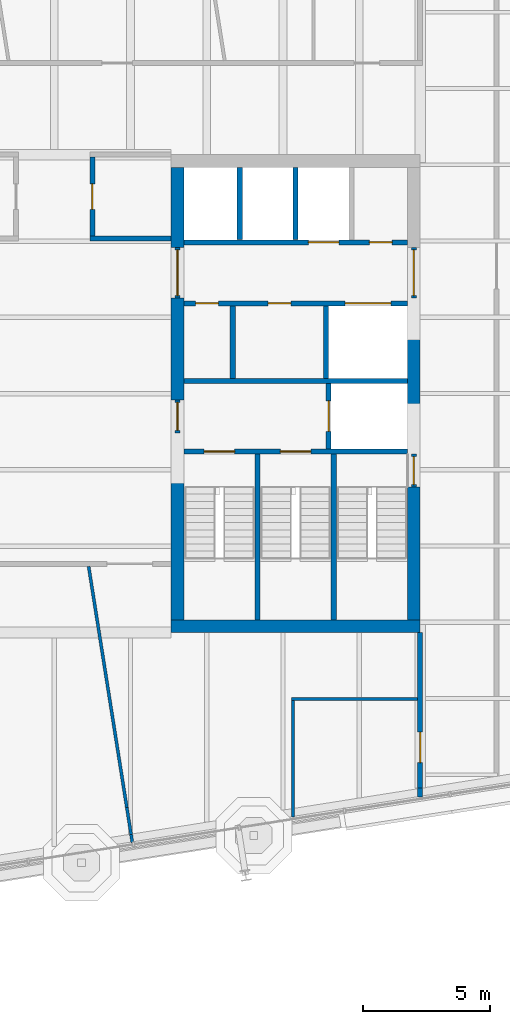
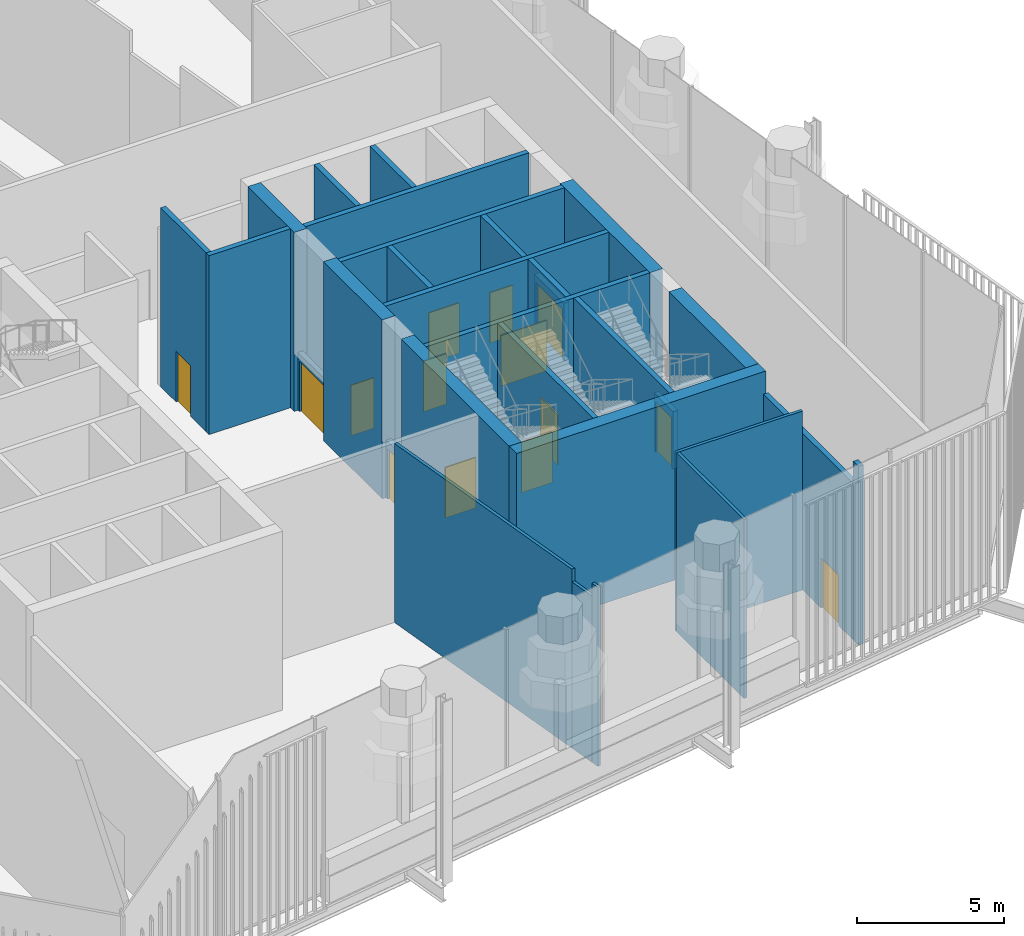
# One storey, part 12 of 17: 30 walls, 14 doors, 14 openings.
"""IFC4 building model written with IfcOpenShell, lengths in metres."""

from ifc_helpers import new_model, si_unit, direction, frame, frame_2d, origin, place, context, subcontext, project, spatial, rectangle, extrude, material, layer, layer_set, type_object, element, fill, save


model = new_model("IFC4")

# Units and contexts
model_context = context("Model", 3, precision=1e-05, world=origin(), true_north=direction((0.0, 1.0)))
body_context = subcontext(model_context, "Body", "Model", "MODEL_VIEW")
ifc_project = project(units=[si_unit("LENGTHUNIT", "METRE"), si_unit("AREAUNIT", "SQUARE_METRE"), si_unit("VOLUMEUNIT", "CUBIC_METRE"), si_unit("PLANEANGLEUNIT", "RADIAN"), si_unit("MASSUNIT", "GRAM", prefix="KILO")], contexts=[model_context])

# Site, building, storey
site_placement = place(None, origin())
site = spatial("IfcSite", under=ifc_project, at=site_placement, CompositionType="ELEMENT")
building_placement = place(site_placement, origin())
building = spatial("IfcBuilding", under=site, at=building_placement, Name="Millrace Tower", CompositionType="ELEMENT")
storey_placement = place(building_placement, frame((0.0, 0.0, 239.800048828125)))
storey = spatial("IfcBuildingStorey", under=building, at=storey_placement, Name="L55", CompositionType="ELEMENT", Elevation=239.800048828125)

# Walls
ifc_material_1 = material(Name="Concrete C60", Category="concrete")
ifc_layer_1 = layer(ifc_material_1, 0.5)
ifc_layer_set_1 = layer_set([ifc_layer_1], Name="Concrete C60")
wall_type_1 = type_object("IfcWallType", Name="Core wall 500 Concrete C60", PredefinedType="SHEAR", material=ifc_layer_set_1)
wall_1_placement = place(storey_placement, frame((14.39990234375, -9.14990234375, 0.0), z_axis=(0.0, 0.0, 1.0), x_axis=(-1.0, 0.0, 0.0)))
element("IfcWall", 1, at=wall_1_placement, inside=storey, type_object=wall_type_1, Name="Core wall E L55", PredefinedType="SHEAR", context=body_context, shape_type="SweptSolid", body=[
    extrude(rectangle(XDim=9.7998046875, YDim=0.5, at=frame_2d((4.89990234375, 0.0))), origin(), (0.0, 0.0, 1.0), 7.43994140625),
])
wall_2_placement = place(storey_placement, frame((14.14990234375, 3.75, 0.0), z_axis=(0.0, 0.0, 1.0), x_axis=(0.0, -1.0, 0.0)))
element("IfcWall", 2, at=wall_2_placement, inside=storey, type_object=wall_type_1, Name="Core wall E L55", PredefinedType="SHEAR", context=body_context, shape_type="SweptSolid", body=[
    extrude(rectangle(XDim=6.1298828125, YDim=0.5, at=frame_2d((3.06494140625, 0.0))), origin(), (0.0, 0.0, 1.0), 7.43994140625),
])
wall_3_placement = place(storey_placement, frame((14.14990234375, -3.679931640625, 0.0), z_axis=(0.0, 0.0, 1.0), x_axis=(0.0, -1.0, 0.0)))
element("IfcWall", 3, at=wall_3_placement, inside=storey, type_object=wall_type_1, Name="Core wall E L55", PredefinedType="SHEAR", context=body_context, shape_type="SweptSolid", body=[
    extrude(rectangle(XDim=5.219970703125, YDim=0.5, at=frame_2d((2.60986328125, 0.0))), origin(), (0.0, 0.0, 1.0), 7.43994140625),
])
wall_4_placement = place(storey_placement, frame((4.85009765625, 8.89990234375, 0.0), z_axis=(0.0, 0.0, 1.0), x_axis=(0.0, -1.0, 0.0)))
element("IfcWall", 4, at=wall_4_placement, inside=storey, type_object=wall_type_1, Name="Core wall E L55", PredefinedType="SHEAR", context=body_context, shape_type="SweptSolid", body=[
    extrude(rectangle(XDim=3.14990234375, YDim=0.5, at=frame_2d((1.574951171875, 0.0))), origin(), (0.0, 0.0, 1.0), 7.43994140625),
])
wall_5_placement = place(storey_placement, frame((4.85009765625, 3.75, 0.0), z_axis=(0.0, 0.0, 1.0), x_axis=(0.0, -1.0, 0.0)))
element("IfcWall", 5, at=wall_5_placement, inside=storey, type_object=wall_type_1, Name="Core wall E L55", PredefinedType="SHEAR", context=body_context, shape_type="SweptSolid", body=[
    extrude(rectangle(XDim=4.0, YDim=0.5, at=frame_2d((2.0, 0.0))), origin(), (0.0, 0.0, 1.0), 7.43994140625),
])
wall_6_placement = place(storey_placement, frame((4.85009765625, -1.550048828125, 0.0), z_axis=(0.0, 0.0, 1.0), x_axis=(0.0, -1.0, 0.0)))
element("IfcWall", 6, at=wall_6_placement, inside=storey, type_object=wall_type_1, Name="Core wall E L55", PredefinedType="SHEAR", context=body_context, shape_type="SweptSolid", body=[
    extrude(rectangle(XDim=7.349853515625, YDim=0.5, at=frame_2d((3.6748046875, 0.0))), origin(), (0.0, 0.0, 1.0), 7.43994140625),
])
ifc_material_2 = material(Name="Masonry partition, fire-rated", Category="masonry")
ifc_layer_2 = layer(ifc_material_2, 0.199951171875)
ifc_layer_set_2 = layer_set([ifc_layer_2], Name="Masonry partition, fire-rated")
wall_type_2 = type_object("IfcWallType", Name="Corridor wall 200", PredefinedType="PARTITIONING", material=ifc_layer_set_2)
wall_7_placement = place(storey_placement, frame((1.39990234375, 6.10009765625, 0.0), z_axis=(0.0, 0.0, 1.0), x_axis=(1.0, 0.0, 0.0)))
element("IfcWall", 7, at=wall_7_placement, inside=storey, type_object=wall_type_2, Name="Corridor wall L55", PredefinedType="PARTITIONING", context=body_context, shape_type="SweptSolid", body=[
    extrude(rectangle(XDim=3.2001953125, YDim=0.199951171875, at=frame_2d((1.60009765625, 0.0))), origin(), (0.0, 0.0, 1.0), 7.43994140625),
])
wall_8_placement = place(storey_placement, frame((14.39990234375, -15.87451171875, 0.0), z_axis=(0.0, 0.0, 1.0), x_axis=(0.0, 1.0, 0.0)))
element("IfcWall", 8, at=wall_8_placement, inside=storey, type_object=wall_type_2, Name="Corridor wall L55", PredefinedType="PARTITIONING", context=body_context, shape_type="SweptSolid", body=[
    extrude(rectangle(XDim=0.349609375, YDim=0.199951171875, at=frame_2d((0.1748046875, 0.0))), origin(), (0.0, 0.0, 1.0), 7.43994140625),
])

# Wall, opening, door
wall_9_placement = place(storey_placement, frame((14.39990234375, -15.52490234375, 0.0), z_axis=(0.0, 0.0, 1.0), x_axis=(0.0, 1.0, 0.0)))
wall_9 = element("IfcWall", 9, at=wall_9_placement, inside=storey, type_object=wall_type_2, Name="Corridor wall L55", PredefinedType="PARTITIONING", context=body_context, shape_type="SweptSolid", body=[
    extrude(rectangle(XDim=6.125, YDim=0.199951171875, at=frame_2d((3.0625, 0.0))), origin(), (0.0, 0.0, 1.0), 6.512939453125),
])
opening_1_placement = place(wall_9_placement, frame((1.0009765625, 0.0, 0.0)))
opening_1 = element("IfcOpeningElement", 10, at=opening_1_placement, cuts=wall_9, Name="Opening 55-P013", PredefinedType="OPENING", context=body_context, shape_type="SweptSolid", body=[
    extrude(rectangle(XDim=1.199951171875, YDim=2.10009765625, at=frame_2d((0.60009765625, 1.050048828125))), frame((0.0, 0.10986328125, 0.0), z_axis=(0.0, -1.0, 0.0), x_axis=(1.0, 0.0, 0.0)), (0.0, 0.0, 1.0), 0.219970703125),
])
ifc_material_3 = material(Name="Steel door set, fire-rated", Category="steel")
door_type_1 = type_object("IfcDoorType", Name="Corridor door 1200 x 2100", OperationType="SINGLE_SWING_LEFT", PredefinedType="DOOR", material=ifc_material_3)
door_1_placement = place(opening_1_placement, origin())
door_1 = element("IfcDoor", 11, at=door_1_placement, inside=storey, type_object=door_type_1, Name="Door 55-P013", OperationType="SINGLE_SWING_LEFT", OverallHeight=2.10009765625, OverallWidth=1.199951171875, PredefinedType="DOOR", context=body_context, shape_type="SweptSolid", body=[
    extrude(rectangle(XDim=1.199951171875, YDim=2.10009765625, at=frame_2d((0.60009765625, 1.050048828125))), frame((0.0, 0.02490234375, 0.0), z_axis=(0.0, -1.0, 0.0), x_axis=(1.0, 0.0, 0.0)), (0.0, 0.0, 1.0), 0.050048828125),
])
fill(opening_1, door_1)

wall_10_placement = place(storey_placement, frame((1.5, 6.199951171875, 0.0), z_axis=(0.0, 0.0, 1.0), x_axis=(0.0, 1.0, 0.0)))
wall_10 = element("IfcWall", 12, at=wall_10_placement, inside=storey, type_object=wall_type_2, Name="Corridor wall L55", PredefinedType="PARTITIONING", context=body_context, shape_type="SweptSolid", body=[
    extrude(rectangle(XDim=3.10009765625, YDim=0.199951171875, at=frame_2d((1.550048828125, 0.0))), origin(), (0.0, 0.0, 1.0), 7.43994140625),
])
opening_2_placement = place(wall_10_placement, frame((1.050048828125, 0.0, 0.0)))
opening_2 = element("IfcOpeningElement", 13, at=opening_2_placement, cuts=wall_10, Name="Opening 55-P002", PredefinedType="OPENING", context=body_context, shape_type="SweptSolid", body=[
    extrude(rectangle(XDim=1.0, YDim=2.10009765625, at=frame_2d((0.5, 1.050048828125))), frame((0.0, 0.10986328125, 0.0), z_axis=(0.0, -1.0, 0.0), x_axis=(1.0, 0.0, 0.0)), (0.0, 0.0, 1.0), 0.219970703125),
])
ifc_material_4 = material(Name="Steel door set, fire-rated", Category="steel")
door_type_2 = type_object("IfcDoorType", Name="Corridor door 1000 x 2100", OperationType="SINGLE_SWING_LEFT", PredefinedType="DOOR", material=ifc_material_4)
door_2_placement = place(opening_2_placement, frame((1.0, 0.0, 0.0), z_axis=(0.0, 0.0, 1.0), x_axis=(-1.0, 0.0, 0.0)))
door_2 = element("IfcDoor", 14, at=door_2_placement, inside=storey, type_object=door_type_2, Name="Door 55-P002", OperationType="SINGLE_SWING_LEFT", OverallHeight=2.10009765625, OverallWidth=1.0, PredefinedType="DOOR", context=body_context, shape_type="SweptSolid", body=[
    extrude(rectangle(XDim=1.0, YDim=2.10009765625, at=frame_2d((0.5, 1.050048828125))), frame((0.0, 0.02490234375, 0.0), z_axis=(0.0, -1.0, 0.0), x_axis=(1.0, 0.0, 0.0)), (0.0, 0.0, 1.0), 0.050048828125),
])
fill(opening_2, door_2)

# Wall, openings, doors
ifc_material_5 = material(Name="Masonry partition, fire-rated", Category="masonry")
ifc_layer_3 = layer(ifc_material_5, 0.199951171875)
ifc_layer_set_3 = layer_set([ifc_layer_3], Name="Masonry partition, fire-rated")
wall_type_3 = type_object("IfcWallType", Name="Lift shaft wall 200", PredefinedType="PARTITIONING", material=ifc_layer_set_3)
wall_11_placement = place(storey_placement, frame((13.89990234375, 5.949951171875, 0.0), z_axis=(0.0, 0.0, 1.0), x_axis=(-1.0, 0.0, 0.0)))
wall_11 = element("IfcWall", 15, at=wall_11_placement, inside=storey, type_object=wall_type_3, Name="Lift shaft wall E L55", PredefinedType="PARTITIONING", context=body_context, shape_type="SweptSolid", body=[
    extrude(rectangle(XDim=8.7998046875, YDim=0.199951171875, at=frame_2d((4.39990234375, 0.0))), origin(), (0.0, 0.0, 1.0), 7.43994140625),
])
opening_3_placement = place(wall_11_placement, frame((2.699951171875, 0.0, 0.0)))
opening_3 = element("IfcOpeningElement", 16, at=opening_3_placement, cuts=wall_11, Name="Opening 55-LD10", PredefinedType="OPENING", context=body_context, shape_type="SweptSolid", body=[
    extrude(rectangle(XDim=1.199951171875, YDim=2.10009765625, at=frame_2d((0.60009765625, 1.050048828125))), frame((0.0, 0.10986328125, 0.0), z_axis=(0.0, -1.0, 0.0), x_axis=(1.0, 0.0, 0.0)), (0.0, 0.0, 1.0), 0.219970703125),
])
opening_4_placement = place(wall_11_placement, frame((0.60009765625, 0.0, 0.0)))
opening_4 = element("IfcOpeningElement", 17, at=opening_4_placement, cuts=wall_11, Name="Opening 55-C014", PredefinedType="OPENING", context=body_context, shape_type="SweptSolid", body=[
    extrude(rectangle(XDim=0.89990234375, YDim=2.10009765625, at=frame_2d((0.449951171875, 1.050048828125))), frame((0.0, 0.10986328125, 0.0), z_axis=(0.0, -1.0, 0.0), x_axis=(1.0, 0.0, 0.0)), (0.0, 0.0, 1.0), 0.219970703125),
])
ifc_material_6 = material(Name="Stainless steel, fire-rated", Category="steel")
door_type_3 = type_object("IfcDoorType", Name="Lift landing door 1200 x 2100", OperationType="DOUBLE_DOOR_SLIDING", PredefinedType="DOOR", material=ifc_material_6)
door_3_placement = place(opening_3_placement, origin())
door_3 = element("IfcDoor", 18, at=door_3_placement, inside=storey, type_object=door_type_3, Name="Lift landing door LF10 L55", OperationType="DOUBLE_DOOR_SLIDING", OverallHeight=2.10009765625, OverallWidth=1.199951171875, PredefinedType="DOOR", context=body_context, shape_type="SweptSolid", body=[
    extrude(rectangle(XDim=1.199951171875, YDim=2.10009765625, at=frame_2d((0.60009765625, 1.050048828125))), frame((0.0, 0.02490234375, 0.0), z_axis=(0.0, -1.0, 0.0), x_axis=(1.0, 0.0, 0.0)), (0.0, 0.0, 1.0), 0.050048828125),
])
fill(opening_3, door_3)
ifc_material_7 = material(Name="Steel door, fire-rated", Category="steel")
door_type_4 = type_object("IfcDoorType", Name="Service room door 900 x 2100", OperationType="SINGLE_SWING_LEFT", PredefinedType="DOOR", material=ifc_material_7)
door_4_placement = place(opening_4_placement, frame((0.89990234375, 0.0, 0.0), z_axis=(0.0, 0.0, 1.0), x_axis=(-1.0, 0.0, 0.0)))
door_4 = element("IfcDoor", 19, at=door_4_placement, inside=storey, type_object=door_type_4, Name="Service room door 55-C014", OperationType="SINGLE_SWING_RIGHT", OverallHeight=2.10009765625, OverallWidth=0.89990234375, PredefinedType="DOOR", context=body_context, shape_type="SweptSolid", body=[
    extrude(rectangle(XDim=0.89990234375, YDim=2.10009765625, at=frame_2d((0.449951171875, 1.050048828125))), frame((0.0, 0.02490234375, 0.0), z_axis=(0.0, -1.0, 0.0), x_axis=(1.0, 0.0, 0.0)), (0.0, 0.0, 1.0), 0.050048828125),
])
fill(opening_4, door_4)

wall_12_placement = place(storey_placement, frame((13.89990234375, 3.550048828125, 0.0), z_axis=(0.0, 0.0, 1.0), x_axis=(-1.0, 0.0, 0.0)))
wall_12 = element("IfcWall", 20, at=wall_12_placement, inside=storey, type_object=wall_type_3, Name="Lift shaft wall E L55", PredefinedType="PARTITIONING", context=body_context, shape_type="SweptSolid", body=[
    extrude(rectangle(XDim=8.7998046875, YDim=0.199951171875, at=frame_2d((4.39990234375, 0.0))), origin(), (0.0, 0.0, 1.0), 7.43994140625),
])
opening_5_placement = place(wall_12_placement, frame((0.64990234375, 0.0, 0.0)))
opening_5 = element("IfcOpeningElement", 21, at=opening_5_placement, cuts=wall_12, Name="Opening 55-LD13", PredefinedType="OPENING", context=body_context, shape_type="SweptSolid", body=[
    extrude(rectangle(XDim=1.800048828125, YDim=2.10009765625, at=frame_2d((0.89990234375, 1.050048828125))), frame((0.0, 0.10986328125, 0.0), z_axis=(0.0, -1.0, 0.0), x_axis=(1.0, 0.0, 0.0)), (0.0, 0.0, 1.0), 0.219970703125),
])
opening_6_placement = place(wall_12_placement, frame((4.58740234375, 0.0, 0.0)))
opening_6 = element("IfcOpeningElement", 22, at=opening_6_placement, cuts=wall_12, Name="Opening 55-C015", PredefinedType="OPENING", context=body_context, shape_type="SweptSolid", body=[
    extrude(rectangle(XDim=0.89990234375, YDim=2.10009765625, at=frame_2d((0.449951171875, 1.050048828125))), frame((0.0, 0.10986328125, 0.0), z_axis=(0.0, -1.0, 0.0), x_axis=(1.0, 0.0, 0.0)), (0.0, 0.0, 1.0), 0.219970703125),
])
opening_7_placement = place(wall_12_placement, frame((7.4375, 0.0, 0.0)))
opening_7 = element("IfcOpeningElement", 23, at=opening_7_placement, cuts=wall_12, Name="Opening 55-C016", PredefinedType="OPENING", context=body_context, shape_type="SweptSolid", body=[
    extrude(rectangle(XDim=0.89990234375, YDim=2.10009765625, at=frame_2d((0.449951171875, 1.050048828125))), frame((0.0, 0.10986328125, 0.0), z_axis=(0.0, -1.0, 0.0), x_axis=(1.0, 0.0, 0.0)), (0.0, 0.0, 1.0), 0.219970703125),
])
ifc_material_8 = material(Name="Stainless steel, fire-rated", Category="steel")
door_type_5 = type_object("IfcDoorType", Name="Lift landing door 1800 x 2100", OperationType="DOUBLE_DOOR_SLIDING", PredefinedType="DOOR", material=ifc_material_8)
door_5_placement = place(opening_5_placement, origin())
door_5 = element("IfcDoor", 24, at=door_5_placement, inside=storey, type_object=door_type_5, Name="Lift landing door LF13 L55", OperationType="DOUBLE_DOOR_SLIDING", OverallHeight=2.10009765625, OverallWidth=1.800048828125, PredefinedType="DOOR", context=body_context, shape_type="SweptSolid", body=[
    extrude(rectangle(XDim=1.800048828125, YDim=2.10009765625, at=frame_2d((0.89990234375, 1.050048828125))), frame((0.0, 0.02490234375, 0.0), z_axis=(0.0, -1.0, 0.0), x_axis=(1.0, 0.0, 0.0)), (0.0, 0.0, 1.0), 0.050048828125),
])
fill(opening_5, door_5)
door_6_placement = place(opening_6_placement, origin())
door_6 = element("IfcDoor", 25, at=door_6_placement, inside=storey, type_object=door_type_4, Name="Service room door 55-C015", OperationType="SINGLE_SWING_RIGHT", OverallHeight=2.10009765625, OverallWidth=0.89990234375, PredefinedType="DOOR", context=body_context, shape_type="SweptSolid", body=[
    extrude(rectangle(XDim=0.89990234375, YDim=2.10009765625, at=frame_2d((0.449951171875, 1.050048828125))), frame((0.0, 0.02490234375, 0.0), z_axis=(0.0, -1.0, 0.0), x_axis=(1.0, 0.0, 0.0)), (0.0, 0.0, 1.0), 0.050048828125),
])
fill(opening_6, door_6)
door_7_placement = place(opening_7_placement, origin())
door_7 = element("IfcDoor", 26, at=door_7_placement, inside=storey, type_object=door_type_4, Name="Service room door 55-C016", OperationType="SINGLE_SWING_RIGHT", OverallHeight=2.10009765625, OverallWidth=0.89990234375, PredefinedType="DOOR", context=body_context, shape_type="SweptSolid", body=[
    extrude(rectangle(XDim=0.89990234375, YDim=2.10009765625, at=frame_2d((0.449951171875, 1.050048828125))), frame((0.0, 0.02490234375, 0.0), z_axis=(0.0, -1.0, 0.0), x_axis=(1.0, 0.0, 0.0)), (0.0, 0.0, 1.0), 0.050048828125),
])
fill(opening_7, door_7)

# Wall
wall_13_placement = place(storey_placement, frame((13.89990234375, 0.5, 0.0), z_axis=(0.0, 0.0, 1.0), x_axis=(-1.0, 0.0, 0.0)))
element("IfcWall", 27, at=wall_13_placement, inside=storey, type_object=wall_type_3, Name="Lift shaft wall E L55", PredefinedType="PARTITIONING", context=body_context, shape_type="SweptSolid", body=[
    extrude(rectangle(XDim=8.7998046875, YDim=0.199951171875, at=frame_2d((4.39990234375, 0.0))), origin(), (0.0, 0.0, 1.0), 7.43994140625),
])

# Wall, opening, door
wall_14_placement = place(storey_placement, frame((10.800048828125, 0.39990234375, 0.0), z_axis=(0.0, 0.0, 1.0), x_axis=(0.0, -1.0, 0.0)))
wall_14 = element("IfcWall", 28, at=wall_14_placement, inside=storey, type_object=wall_type_3, Name="Lift shaft wall E L55", PredefinedType="PARTITIONING", context=body_context, shape_type="SweptSolid", body=[
    extrude(rectangle(XDim=2.579833984375, YDim=0.199951171875, at=frame_2d((1.2900390625, 0.0))), origin(), (0.0, 0.0, 1.0), 7.43994140625),
])
opening_8_placement = place(wall_14_placement, frame((0.68994140625, 0.0, 0.0)))
opening_8 = element("IfcOpeningElement", 29, at=opening_8_placement, cuts=wall_14, Name="Opening 55-LD16", PredefinedType="OPENING", context=body_context, shape_type="SweptSolid", body=[
    extrude(rectangle(XDim=1.199951171875, YDim=2.10009765625, at=frame_2d((0.60009765625, 1.050048828125))), frame((0.0, 0.10986328125, 0.0), z_axis=(0.0, -1.0, 0.0), x_axis=(1.0, 0.0, 0.0)), (0.0, 0.0, 1.0), 0.219970703125),
])
door_8_placement = place(opening_8_placement, origin())
door_8 = element("IfcDoor", 30, at=door_8_placement, inside=storey, type_object=door_type_3, Name="Lift landing door LF16 L55", OperationType="DOUBLE_DOOR_SLIDING", OverallHeight=2.10009765625, OverallWidth=1.199951171875, PredefinedType="DOOR", context=body_context, shape_type="SweptSolid", body=[
    extrude(rectangle(XDim=1.199951171875, YDim=2.10009765625, at=frame_2d((0.60009765625, 1.050048828125))), frame((0.0, 0.02490234375, 0.0), z_axis=(0.0, -1.0, 0.0), x_axis=(1.0, 0.0, 0.0)), (0.0, 0.0, 1.0), 0.050048828125),
])
fill(opening_8, door_8)

# Walls
for number, where, z_axis, x_axis, name in (
    (31, (9.5, 8.89990234375, 0.0), (0.0, 0.0, 1.0), (0.0, -1.0, 0.0), "Lift shaft wall E L55"),
    (32, (7.300048828125, 8.89990234375, 0.0), (0.0, 0.0, 1.0), (0.0, -1.0, 0.0), "Lift shaft wall E L55"),
    (33, (10.699951171875, 3.449951171875, 0.0), (0.0, 0.0, 1.0), (0.0, -1.0, 0.0), "Lift shaft wall E L55"),
):
    element("IfcWall", number, at=place(storey_placement, frame(where, z_axis=z_axis, x_axis=x_axis)), inside=storey, type_object=wall_type_3, Name=name, PredefinedType="PARTITIONING", context=body_context, shape_type="SweptSolid", body=[
        extrude(rectangle(XDim=2.849853515625, YDim=0.199951171875, at=frame_2d((1.4248046875, 0.0))), origin(), (0.0, 0.0, 1.0), 7.43994140625),
    ])

# Wall, opening, door
ifc_material_9 = material(Name="Masonry partition, fire-rated", Category="masonry")
ifc_layer_4 = layer(ifc_material_9, 0.199951171875)
ifc_layer_set_4 = layer_set([ifc_layer_4], Name="Masonry partition, fire-rated")
wall_type_4 = type_object("IfcWallType", Name="Lobby wall 200", PredefinedType="PARTITIONING", material=ifc_layer_set_4)
wall_15_placement = place(storey_placement, frame((14.14990234375, 5.75, 0.0), z_axis=(0.0, 0.0, 1.0), x_axis=(0.0, -1.0, 0.0)))
wall_15 = element("IfcWall", 34, at=wall_15_placement, inside=storey, type_object=wall_type_4, Name="Lobby wall E L55", PredefinedType="PARTITIONING", context=body_context, shape_type="SweptSolid", body=[
    extrude(rectangle(XDim=2.0, YDim=0.199951171875, at=frame_2d((1.0, 0.0))), origin(), (0.0, 0.0, 1.0), 2.39990234375),
])
opening_9_placement = place(wall_15_placement, frame((0.10009765625, 0.0, 0.0)))
opening_9 = element("IfcOpeningElement", 35, at=opening_9_placement, cuts=wall_15, Name="Opening 55-C010", PredefinedType="OPENING", context=body_context, shape_type="SweptSolid", body=[
    extrude(rectangle(XDim=1.800048828125, YDim=2.10009765625, at=frame_2d((0.89990234375, 1.050048828125))), frame((0.0, 0.10986328125, 0.0), z_axis=(0.0, -1.0, 0.0), x_axis=(1.0, 0.0, 0.0)), (0.0, 0.0, 1.0), 0.219970703125),
])
ifc_material_10 = material(Name="Steel door, fire-rated", Category="steel")
door_type_6 = type_object("IfcDoorType", Name="Lobby door 1800 x 2100", OperationType="DOUBLE_DOOR_SINGLE_SWING", PredefinedType="DOOR", material=ifc_material_10)
door_9_placement = place(opening_9_placement, origin())
door_9 = element("IfcDoor", 36, at=door_9_placement, inside=storey, type_object=door_type_6, Name="Lobby door 55-C010", OperationType="DOUBLE_DOOR_SINGLE_SWING", OverallHeight=2.10009765625, OverallWidth=1.800048828125, PredefinedType="DOOR", context=body_context, shape_type="SweptSolid", body=[
    extrude(rectangle(XDim=1.800048828125, YDim=2.10009765625, at=frame_2d((0.89990234375, 1.050048828125))), frame((0.0, 0.02490234375, 0.0), z_axis=(0.0, -1.0, 0.0), x_axis=(1.0, 0.0, 0.0)), (0.0, 0.0, 1.0), 0.050048828125),
])
fill(opening_9, door_9)

wall_16_placement = place(storey_placement, frame((4.85009765625, 5.75, 0.0), z_axis=(0.0, 0.0, 1.0), x_axis=(0.0, -1.0, 0.0)))
wall_16 = element("IfcWall", 37, at=wall_16_placement, inside=storey, type_object=wall_type_4, Name="Lobby wall E L55", PredefinedType="PARTITIONING", context=body_context, shape_type="SweptSolid", body=[
    extrude(rectangle(XDim=2.0, YDim=0.199951171875, at=frame_2d((1.0, 0.0))), origin(), (0.0, 0.0, 1.0), 2.39990234375),
])
opening_10_placement = place(wall_16_placement, frame((0.10009765625, 0.0, 0.0)))
opening_10 = element("IfcOpeningElement", 38, at=opening_10_placement, cuts=wall_16, Name="Opening 55-C012", PredefinedType="OPENING", context=body_context, shape_type="SweptSolid", body=[
    extrude(rectangle(XDim=1.800048828125, YDim=2.10009765625, at=frame_2d((0.89990234375, 1.050048828125))), frame((0.0, 0.10986328125, 0.0), z_axis=(0.0, -1.0, 0.0), x_axis=(1.0, 0.0, 0.0)), (0.0, 0.0, 1.0), 0.219970703125),
])
door_10_placement = place(opening_10_placement, frame((1.800048828125, 0.0, 0.0), z_axis=(0.0, 0.0, 1.0), x_axis=(-1.0, 0.0, 0.0)))
door_10 = element("IfcDoor", 39, at=door_10_placement, inside=storey, type_object=door_type_6, Name="Lobby door 55-C012", OperationType="DOUBLE_DOOR_SINGLE_SWING", OverallHeight=2.10009765625, OverallWidth=1.800048828125, PredefinedType="DOOR", context=body_context, shape_type="SweptSolid", body=[
    extrude(rectangle(XDim=1.800048828125, YDim=2.10009765625, at=frame_2d((0.89990234375, 1.050048828125))), frame((0.0, 0.02490234375, 0.0), z_axis=(0.0, -1.0, 0.0), x_axis=(1.0, 0.0, 0.0)), (0.0, 0.0, 1.0), 0.050048828125),
])
fill(opening_10, door_10)

wall_17_placement = place(storey_placement, frame((4.85009765625, -0.25, 0.0), z_axis=(0.0, 0.0, 1.0), x_axis=(0.0, -1.0, 0.0)))
wall_17 = element("IfcWall", 40, at=wall_17_placement, inside=storey, type_object=wall_type_4, Name="Lobby wall E L55", PredefinedType="PARTITIONING", context=body_context, shape_type="SweptSolid", body=[
    extrude(rectangle(XDim=1.300048828125, YDim=0.199951171875, at=frame_2d((0.64990234375, 0.0))), origin(), (0.0, 0.0, 1.0), 2.39990234375),
])
opening_11_placement = place(wall_17_placement, frame((0.10009765625, 0.0, 0.0)))
opening_11 = element("IfcOpeningElement", 41, at=opening_11_placement, cuts=wall_17, Name="Opening 55-C013", PredefinedType="OPENING", context=body_context, shape_type="SweptSolid", body=[
    extrude(rectangle(XDim=1.10009765625, YDim=2.10009765625, at=frame_2d((0.550048828125, 1.050048828125))), frame((0.0, 0.10986328125, 0.0), z_axis=(0.0, -1.0, 0.0), x_axis=(1.0, 0.0, 0.0)), (0.0, 0.0, 1.0), 0.219970703125),
])
ifc_material_11 = material(Name="Steel door, fire-rated", Category="steel")
door_type_7 = type_object("IfcDoorType", Name="Lobby door 1100 x 2100", OperationType="SINGLE_SWING_LEFT", PredefinedType="DOOR", material=ifc_material_11)
door_11_placement = place(opening_11_placement, frame((1.10009765625, 0.0, 0.0), z_axis=(0.0, 0.0, 1.0), x_axis=(-1.0, 0.0, 0.0)))
door_11 = element("IfcDoor", 42, at=door_11_placement, inside=storey, type_object=door_type_7, Name="Lobby door 55-C013", OperationType="SINGLE_SWING_LEFT", OverallHeight=2.10009765625, OverallWidth=1.10009765625, PredefinedType="DOOR", context=body_context, shape_type="SweptSolid", body=[
    extrude(rectangle(XDim=1.10009765625, YDim=2.10009765625, at=frame_2d((0.550048828125, 1.050048828125))), frame((0.0, 0.02490234375, 0.0), z_axis=(0.0, -1.0, 0.0), x_axis=(1.0, 0.0, 0.0)), (0.0, 0.0, 1.0), 0.050048828125),
])
fill(opening_11, door_11)

# Walls
ifc_material_12 = material(Name="Gypsum board partition")
ifc_layer_5 = layer(ifc_material_12, 0.1201171875)
ifc_layer_set_5 = layer_set([ifc_layer_5], Name="Gypsum board partition")
wall_type_5 = type_object("IfcWallType", Name="Partition wall 120", PredefinedType="PARTITIONING", material=ifc_layer_set_5)
wall_18_placement = place(storey_placement, frame((1.355712890625, -6.798828125, 0.0), z_axis=(0.0, 0.0, 1.0), x_axis=(0.15639059341, -0.98769528818, 0.0)))
element("IfcWall", 43, at=wall_18_placement, inside=storey, type_object=wall_type_5, Name="Partition wall L55", PredefinedType="PARTITIONING", context=body_context, shape_type="SweptSolid", body=[
    extrude(rectangle(XDim=9.60693359375, YDim=0.1201171875, at=frame_2d((4.803466796875, 0.0))), origin(), (0.0, 0.0, 1.0), 7.43994140625),
])
wall_19_placement = place(storey_placement, frame((2.858154296875, -16.28759765625, 0.0), z_axis=(0.0, 0.0, 1.0), x_axis=(0.156535041478, -0.987672405603, 0.0)))
element("IfcWall", 44, at=wall_19_placement, inside=storey, type_object=wall_type_5, Name="Partition wall L55", PredefinedType="PARTITIONING", context=body_context, shape_type="SweptSolid", body=[
    extrude(rectangle(XDim=1.072998046875, YDim=0.1201171875, at=frame_2d((0.53662109375, 0.0))), origin(), (0.0, 0.0, 1.0), 6.9140625),
])
wall_20_placement = place(storey_placement, frame((3.026123046875, -17.347412109375, 0.0), z_axis=(0.0, 0.0, 1.0), x_axis=(0.155730772494, -0.987799537608, 0.0)))
element("IfcWall", 45, at=wall_20_placement, inside=storey, type_object=wall_type_5, Name="Partition wall L55", PredefinedType="PARTITIONING", context=body_context, shape_type="SweptSolid", body=[
    extrude(rectangle(XDim=0.324462890625, YDim=0.1201171875, at=frame_2d((0.162109375, 0.0))), origin(), (0.0, 0.0, 1.0), 7.43994140625),
])
wall_21_placement = place(storey_placement, frame((9.340087890625, -12.02392578125, 0.0), z_axis=(0.0, 0.0, 1.0), x_axis=(1.0, 0.0, 0.0)))
element("IfcWall", 46, at=wall_21_placement, inside=storey, type_object=wall_type_5, Name="Partition wall L55", PredefinedType="PARTITIONING", context=body_context, shape_type="SweptSolid", body=[
    extrude(rectangle(XDim=4.9599609375, YDim=0.1201171875, at=frame_2d((2.47998046875, 0.0))), origin(), (0.0, 0.0, 1.0), 7.43994140625),
])
wall_22_placement = place(storey_placement, frame((9.39990234375, -16.66650390625, 0.0), z_axis=(0.0, 0.0, 1.0), x_axis=(0.0, 1.0, 0.0)))
element("IfcWall", 47, at=wall_22_placement, inside=storey, type_object=wall_type_5, Name="Partition wall L55", PredefinedType="PARTITIONING", context=body_context, shape_type="SweptSolid", body=[
    extrude(rectangle(XDim=4.58251953125, YDim=0.1201171875, at=frame_2d((2.291259765625, 0.0))), origin(), (0.0, 0.0, 1.0), 7.43994140625),
])
ifc_material_13 = material(Name="Masonry partition, fire-rated", Category="masonry")
ifc_layer_6 = layer(ifc_material_13, 0.199951171875)
ifc_layer_set_6 = layer_set([ifc_layer_6], Name="Masonry partition, fire-rated")
wall_type_6 = type_object("IfcWallType", Name="Room partition 200", PredefinedType="PARTITIONING", material=ifc_layer_set_6)
wall_23_placement = place(storey_placement, frame((7.02490234375, 3.449951171875, 0.0), z_axis=(0.0, 0.0, 1.0), x_axis=(0.0, -1.0, 0.0)))
element("IfcWall", 48, at=wall_23_placement, inside=storey, type_object=wall_type_6, Name="Room partition E L55", PredefinedType="PARTITIONING", context=body_context, shape_type="SweptSolid", body=[
    extrude(rectangle(XDim=2.849853515625, YDim=0.199951171875, at=frame_2d((1.4248046875, 0.0))), origin(), (0.0, 0.0, 1.0), 7.43994140625),
])

# Wall, opening, door
ifc_material_14 = material(Name="Concrete C40", Category="concrete")
ifc_layer_7 = layer(ifc_material_14, 0.199951171875)
ifc_layer_set_7 = layer_set([ifc_layer_7], Name="Concrete C40")
wall_type_7 = type_object("IfcWallType", Name="Stair enclosure wall 200 Concrete C40", PredefinedType="SHEAR", material=ifc_layer_set_7)
wall_24_placement = place(storey_placement, frame((14.14990234375, -2.3798828125, 0.0), z_axis=(0.0, 0.0, 1.0), x_axis=(0.0, -1.0, 0.0)))
wall_24 = element("IfcWall", 49, at=wall_24_placement, inside=storey, type_object=wall_type_7, Name="Stair enclosure wall E L55", PredefinedType="SHEAR", context=body_context, shape_type="SweptSolid", body=[
    extrude(rectangle(XDim=1.300048828125, YDim=0.199951171875, at=frame_2d((0.64990234375, 0.0))), origin(), (0.0, 0.0, 1.0), 2.39990234375),
])
opening_12_placement = place(wall_24_placement, frame((0.10009765625, 0.0, 0.0)))
opening_12 = element("IfcOpeningElement", 50, at=opening_12_placement, cuts=wall_24, Name="Opening 55-C011", PredefinedType="OPENING", context=body_context, shape_type="SweptSolid", body=[
    extrude(rectangle(XDim=1.10009765625, YDim=2.10009765625, at=frame_2d((0.550048828125, 1.050048828125))), frame((0.0, 0.10986328125, 0.0), z_axis=(0.0, -1.0, 0.0), x_axis=(1.0, 0.0, 0.0)), (0.0, 0.0, 1.0), 0.219970703125),
])
ifc_material_15 = material(Name="Steel door, fire-rated", Category="steel")
door_type_8 = type_object("IfcDoorType", Name="Stair door 1100 x 2100", OperationType="SINGLE_SWING_LEFT", PredefinedType="DOOR", material=ifc_material_15)
door_12_placement = place(opening_12_placement, origin())
door_12 = element("IfcDoor", 51, at=door_12_placement, inside=storey, type_object=door_type_8, Name="Stair door 55-C011", OperationType="SINGLE_SWING_RIGHT", OverallHeight=2.10009765625, OverallWidth=1.10009765625, PredefinedType="DOOR", context=body_context, shape_type="SweptSolid", body=[
    extrude(rectangle(XDim=1.10009765625, YDim=2.10009765625, at=frame_2d((0.550048828125, 1.050048828125))), frame((0.0, 0.02490234375, 0.0), z_axis=(0.0, -1.0, 0.0), x_axis=(1.0, 0.0, 0.0)), (0.0, 0.0, 1.0), 0.050048828125),
])
fill(opening_12, door_12)

# Wall, openings, doors
wall_25_placement = place(storey_placement, frame((13.89990234375, -2.280029296875, 0.0), z_axis=(0.0, 0.0, 1.0), x_axis=(-1.0, 0.0, 0.0)))
wall_25 = element("IfcWall", 52, at=wall_25_placement, inside=storey, type_object=wall_type_7, Name="Stair enclosure wall E L55", PredefinedType="SHEAR", context=body_context, shape_type="SweptSolid", body=[
    extrude(rectangle(XDim=8.7998046875, YDim=0.199951171875, at=frame_2d((4.39990234375, 0.0))), origin(), (0.0, 0.0, 1.0), 7.43994140625),
])
opening_13_placement = place(wall_25_placement, frame((3.800048828125, 0.0, 0.0)))
opening_13 = element("IfcOpeningElement", 53, at=opening_13_placement, cuts=wall_25, Name="Opening 55-C017", PredefinedType="OPENING", context=body_context, shape_type="SweptSolid", body=[
    extrude(rectangle(XDim=1.199951171875, YDim=2.10009765625, at=frame_2d((0.60009765625, 1.050048828125))), frame((0.0, 0.10986328125, 0.0), z_axis=(0.0, -1.0, 0.0), x_axis=(1.0, 0.0, 0.0)), (0.0, 0.0, 1.0), 0.219970703125),
])
opening_14_placement = place(wall_25_placement, frame((6.800048828125, 0.0, 0.0)))
opening_14 = element("IfcOpeningElement", 54, at=opening_14_placement, cuts=wall_25, Name="Opening 55-C018", PredefinedType="OPENING", context=body_context, shape_type="SweptSolid", body=[
    extrude(rectangle(XDim=1.199951171875, YDim=2.10009765625, at=frame_2d((0.60009765625, 1.050048828125))), frame((0.0, 0.10986328125, 0.0), z_axis=(0.0, -1.0, 0.0), x_axis=(1.0, 0.0, 0.0)), (0.0, 0.0, 1.0), 0.219970703125),
])
ifc_material_16 = material(Name="Steel door, fire-rated", Category="steel")
door_type_9 = type_object("IfcDoorType", Name="Stair door 1200 x 2100", OperationType="SINGLE_SWING_LEFT", PredefinedType="DOOR", material=ifc_material_16)
door_13_placement = place(opening_13_placement, frame((1.199951171875, 0.0, 0.0), z_axis=(0.0, 0.0, 1.0), x_axis=(-1.0, 0.0, 0.0)))
door_13 = element("IfcDoor", 55, at=door_13_placement, inside=storey, type_object=door_type_9, Name="Stair door 55-C017", OperationType="SINGLE_SWING_LEFT", OverallHeight=2.10009765625, OverallWidth=1.199951171875, PredefinedType="DOOR", context=body_context, shape_type="SweptSolid", body=[
    extrude(rectangle(XDim=1.199951171875, YDim=2.10009765625, at=frame_2d((0.60009765625, 1.050048828125))), frame((0.0, 0.02490234375, 0.0), z_axis=(0.0, -1.0, 0.0), x_axis=(1.0, 0.0, 0.0)), (0.0, 0.0, 1.0), 0.050048828125),
])
fill(opening_13, door_13)
door_14_placement = place(opening_14_placement, frame((1.199951171875, 0.0, 0.0), z_axis=(0.0, 0.0, 1.0), x_axis=(-1.0, 0.0, 0.0)))
door_14 = element("IfcDoor", 56, at=door_14_placement, inside=storey, type_object=door_type_9, Name="Stair door 55-C018", OperationType="SINGLE_SWING_LEFT", OverallHeight=2.10009765625, OverallWidth=1.199951171875, PredefinedType="DOOR", context=body_context, shape_type="SweptSolid", body=[
    extrude(rectangle(XDim=1.199951171875, YDim=2.10009765625, at=frame_2d((0.60009765625, 1.050048828125))), frame((0.0, 0.02490234375, 0.0), z_axis=(0.0, -1.0, 0.0), x_axis=(1.0, 0.0, 0.0)), (0.0, 0.0, 1.0), 0.050048828125),
])
fill(opening_14, door_14)

# Walls
for number, where, z_axis, x_axis, name in (
    (57, (11.0, -2.3798828125, 0.0), (0.0, 0.0, 1.0), (0.0, -1.0, 0.0), "Stair enclosure wall E L55"),
    (58, (8.0, -2.3798828125, 0.0), (0.0, 0.0, 1.0), (0.0, -1.0, 0.0), "Stair enclosure wall E L55"),
):
    element("IfcWall", number, at=place(storey_placement, frame(where, z_axis=z_axis, x_axis=x_axis)), inside=storey, type_object=wall_type_7, Name=name, PredefinedType="SHEAR", context=body_context, shape_type="SweptSolid", body=[
        extrude(rectangle(XDim=6.52001953125, YDim=0.199951171875, at=frame_2d((3.260009765625, 0.0))), origin(), (0.0, 0.0, 1.0), 7.43994140625),
    ])

save(model, "model.ifc")
